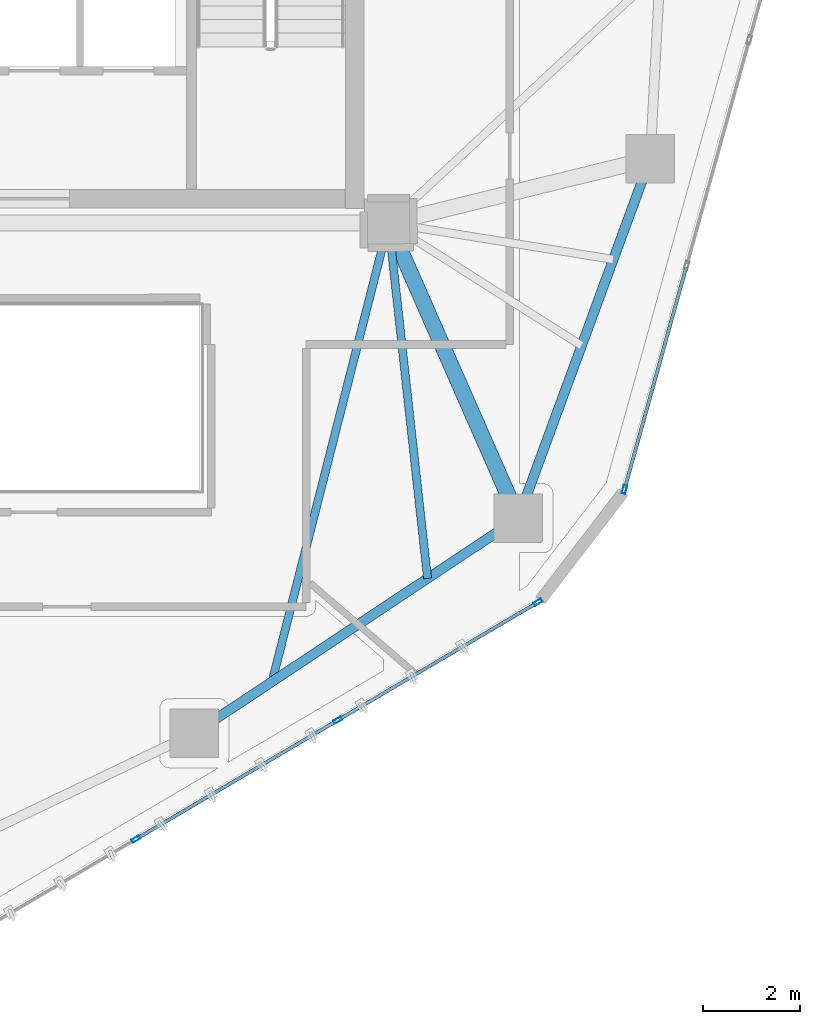
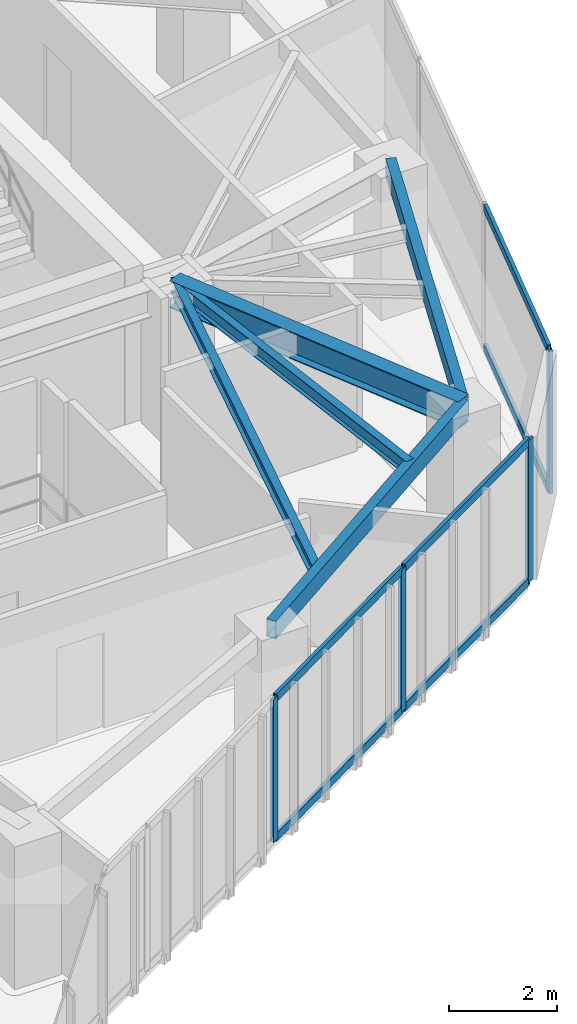
# One storey, part 5 of 19: 10 members, 5 beams, 2 elements without a shape of their own.
"""IFC4 building model written with IfcOpenShell, lengths in metres."""

from ifc_helpers import new_model, si_unit, direction, frame, origin, origin_2d, place, context, subcontext, project, spatial, hollow_rectangle, i_section, extrude, source, transform, mapped, material, layer, layer_set, material_profile, profile_set, type_object, type_shapes, element, aggregate, save


model = new_model("IFC4")

# Units and contexts
model_context = context("Model", 3, precision=1e-05, world=origin(), true_north=direction((0.0, 1.0)))
body_context = subcontext(model_context, "Body", "Model", "MODEL_VIEW")
ifc_project = project(units=[si_unit("LENGTHUNIT", "METRE"), si_unit("AREAUNIT", "SQUARE_METRE"), si_unit("VOLUMEUNIT", "CUBIC_METRE"), si_unit("PLANEANGLEUNIT", "RADIAN"), si_unit("MASSUNIT", "GRAM", prefix="KILO")], contexts=[model_context])

# Site, building, storey
site_placement = place(None, origin())
site = spatial("IfcSite", under=ifc_project, at=site_placement, CompositionType="ELEMENT")
building_placement = place(site_placement, origin())
building = spatial("IfcBuilding", under=site, at=building_placement, Name="Talar Marvaseh", CompositionType="ELEMENT")
storey_placement = place(building_placement, frame((0.0, 0.0, 181.0)))
storey = spatial("IfcBuildingStorey", under=building, at=storey_placement, Name="L47", CompositionType="ELEMENT", Elevation=181.0)

# Beams
ifc_material_1 = material(Name="Steel S355", Category="steel")
ifc_material_profile_1 = material_profile(ifc_material_1, hollow_rectangle(XDim=0.199951171875, YDim=0.39990234375, WallThickness=0.013916015625, at=origin_2d()), Name="RHS400x200x14")
ifc_profile_set_1 = profile_set([ifc_material_profile_1], Name="Steel S355")
beam_type_1 = type_object("IfcBeamType", Name="Zone 3 Perimeter Spandrel Beam RHS400x200x14", PredefinedType="SPANDREL", material=ifc_profile_set_1)
beam_1_placement = place(storey_placement, frame((38.68896484375, 26.823974609375, 3.030029296875), z_axis=(-0.344742291376, -0.938697370049, 0.0), x_axis=(0.938697370049, -0.344742291376, 0.0)))
element("IfcBeam", 1, at=beam_1_placement, inside=storey, type_object=beam_type_1, Name="L47 Zone 3 Perimeter Spandrel Beam RHS400x200x14", PredefinedType="SPANDREL", context=body_context, shape_type="SweptSolid", body=[
    extrude(hollow_rectangle(XDim=0.199951171875, YDim=0.39990234375, WallThickness=0.013916015625, at=origin_2d()), origin(), (0.0, 0.0, 1.0), 7.88427734375),
])
beam_2_placement = place(storey_placement, frame((35.970947265625, 19.423095703125, 3.030029296875), z_axis=(-0.833127464163, -0.553081032452, 0.0), x_axis=(0.553081032452, -0.833127464163, 0.0)))
element("IfcBeam", 2, at=beam_2_placement, inside=storey, type_object=beam_type_1, Name="L47 Zone 3 Perimeter Spandrel Beam RHS400x200x14", PredefinedType="SPANDREL", context=body_context, shape_type="SweptSolid", body=[
    extrude(hollow_rectangle(XDim=0.199951171875, YDim=0.39990234375, WallThickness=0.013916015625, at=origin_2d()), origin(), (0.0, 0.0, 1.0), 8.00830078125),
])
ifc_material_profile_2 = material_profile(ifc_material_1, i_section(OverallWidth=0.324951171875, OverallDepth=0.615966796875, WebThickness=0.013916015625, FlangeThickness=0.021484375, at=origin_2d()), Name="W610x174")
ifc_profile_set_2 = profile_set([ifc_material_profile_2], Name="Steel S355")
beam_type_2 = type_object("IfcBeamType", Name="Zone 3 Radial Floor Girder W610x174", PredefinedType="BEAM", material=ifc_profile_set_2)
beam_3_placement = place(storey_placement, frame((35.970947265625, 19.423095703125, 2.922119140625), z_axis=(-0.402367581672, 0.91547819702, 0.0), x_axis=(-0.91547819702, -0.402367581672, 0.0)))
element("IfcBeam", 3, at=beam_3_placement, inside=storey, type_object=beam_type_2, Name="L47 Zone 3 Radial Floor Girder W610x174", PredefinedType="BEAM", context=body_context, shape_type="SweptSolid", body=[
    extrude(i_section(OverallWidth=0.324951171875, OverallDepth=0.615966796875, WebThickness=0.013916015625, FlangeThickness=0.021484375, at=origin_2d()), origin(), (0.0, 0.0, 1.0), 6.637939453125),
])
ifc_material_profile_3 = material_profile(ifc_material_1, i_section(OverallWidth=0.166015625, OverallDepth=0.31298828125, WebThickness=0.006591796875, FlangeThickness=0.01123046875, at=origin_2d()), Name="W310x45")
ifc_profile_set_3 = profile_set([ifc_material_profile_3], Name="Steel S355")
beam_type_3 = type_object("IfcBeamType", Name="Zone 3 Secondary Floor Joist W310x45", PredefinedType="JOIST", material=ifc_profile_set_3)
beam_4_placement = place(storey_placement, frame((34.102783203125, 18.182861328125, 3.073486328125), z_axis=(-0.109051770147, 0.994036071492, 0.0), x_axis=(-0.994036071492, -0.109051770147, 0.0)))
element("IfcBeam", 4, at=beam_4_placement, inside=storey, type_object=beam_type_3, Name="L47 Zone 3 Secondary Floor Joist W310x45", PredefinedType="JOIST", context=body_context, shape_type="SweptSolid", body=[
    extrude(i_section(OverallWidth=0.166015625, OverallDepth=0.31298828125, WebThickness=0.006591796875, FlangeThickness=0.01123046875, at=origin_2d()), origin(), (0.0, 0.0, 1.0), 7.361083984375),
])
beam_5_placement = place(storey_placement, frame((30.900390625, 16.056884765625, 3.073486328125), z_axis=(0.246289474123, 0.96919631393, 0.0), x_axis=(-0.96919631393, 0.246289474123, 0.0)))
element("IfcBeam", 5, at=beam_5_placement, inside=storey, type_object=beam_type_3, Name="L47 Zone 3 Secondary Floor Joist W310x45", PredefinedType="JOIST", context=body_context, shape_type="SweptSolid", body=[
    extrude(i_section(OverallWidth=0.166015625, OverallDepth=0.31298828125, WebThickness=0.006591796875, FlangeThickness=0.01123046875, at=origin_2d()), origin(), (0.0, 0.0, 1.0), 9.7431640625),
])

# Curtain wall, member
ifc_material_2 = material(Name="Architectural Aluminium", Category="aluminium")
ifc_layer = layer(ifc_material_2, 0.18994140625)
ifc_layer_set = layer_set([ifc_layer], Name="Architectural Aluminium")
curtain_wall_type = type_object("IfcCurtainWallType", Name="Unitised Solar Atelier Curtain Wall Z3", PredefinedType="NOTDEFINED", material=ifc_layer_set)
curtain_wall_1_placement = place(storey_placement, origin())
curtain_wall_1 = element("IfcCurtainWall", 6, at=curtain_wall_1_placement, inside=storey, type_object=curtain_wall_type, Name="L47 Unitised Solar Atelier Curtain Wall Z3", PredefinedType="NOTDEFINED")
ifc_material_profile_4 = material_profile(ifc_material_2, hollow_rectangle(XDim=0.074951171875, YDim=0.179931640625, WallThickness=0.0048828125, at=origin_2d()), Name="RHS180x75x5")
ifc_profile_set_4 = profile_set([ifc_material_profile_4], Name="Architectural Aluminium")
member_type_1 = type_object("IfcMemberType", Name="Unitised Curtain Wall Standard Mullion RHS180x75x5", PredefinedType="MULLION", material=ifc_profile_set_4)
shared_shape_1 = source(origin(), body_context, "Body", "SweptSolid", [
    extrude(hollow_rectangle(XDim=0.074951171875, YDim=0.179931640625, WallThickness=0.0048828125, at=origin_2d()), origin(), (0.0, 0.0, 1.0), 3.22998046875),
])
type_shapes(member_type_1, [shared_shape_1])
member_1_placement = place(storey_placement, frame((38.158935546875, 20.0166015625, 0.0), z_axis=(0.0, 0.0, 1.0), x_axis=(0.963589403746, -0.267386351536, 0.0)))
member_1 = element("IfcMember", 7, at=member_1_placement, type_object=member_type_1, Name="CW-Z3 mullion 5", PredefinedType="MULLION", context=body_context, shape_type="MappedRepresentation", body=[
    mapped(shared_shape_1, transform((0.0, 0.0, 0.0), x_axis=(1.0, 0.0, 0.0), y_axis=(0.0, 1.0, 0.0), z_axis=(0.0, 0.0, 1.0), scale=1.0)),
])

# Curtain wall, members
curtain_wall_2_placement = place(storey_placement, origin())
curtain_wall_2 = element("IfcCurtainWall", 8, at=curtain_wall_2_placement, inside=storey, type_object=curtain_wall_type, Name="L47 Unitised Solar Atelier Curtain Wall Z3", PredefinedType="NOTDEFINED")
member_2_placement = place(storey_placement, frame((36.37548828125, 17.6923828125, 0.0), z_axis=(0.0, 0.0, 1.0), x_axis=(0.507674097312, -0.861549192396, 0.0)))
member_2 = element("IfcMember", 9, at=member_2_placement, type_object=member_type_1, Name="CW-Z3 mullion 1", PredefinedType="MULLION", context=body_context, shape_type="MappedRepresentation", body=[
    mapped(shared_shape_1, transform((0.0, 0.0, 0.0), x_axis=(1.0, 0.0, 0.0), y_axis=(0.0, 1.0, 0.0), z_axis=(0.0, 0.0, 1.0), scale=1.0)),
])
member_3_placement = place(storey_placement, frame((32.25341796875, 15.26318359375, 0.0), z_axis=(0.0, 0.0, 1.0), x_axis=(0.507674097312, -0.861549192396, 0.0)))
member_3 = element("IfcMember", 10, at=member_3_placement, type_object=member_type_1, Name="CW-Z3 mullion 2", PredefinedType="MULLION", context=body_context, shape_type="MappedRepresentation", body=[
    mapped(shared_shape_1, transform((0.0, 0.0, 0.0), x_axis=(1.0, 0.0, 0.0), y_axis=(0.0, 1.0, 0.0), z_axis=(0.0, 0.0, 1.0), scale=1.0)),
])
member_4_placement = place(storey_placement, frame((28.098876953125, 12.815185546875, 0.0), z_axis=(0.0, 0.0, 1.0), x_axis=(0.507674097312, -0.861549192396, 0.0)))
member_4 = element("IfcMember", 11, at=member_4_placement, type_object=member_type_1, Name="CW-Z3 mullion 3", PredefinedType="MULLION", context=body_context, shape_type="MappedRepresentation", body=[
    mapped(shared_shape_1, transform((0.0, 0.0, 0.0), x_axis=(1.0, 0.0, 0.0), y_axis=(0.0, 1.0, 0.0), z_axis=(0.0, 0.0, 1.0), scale=1.0)),
])

# Member
ifc_material_profile_5 = material_profile(ifc_material_2, hollow_rectangle(XDim=0.074951171875, YDim=0.179931640625, WallThickness=0.0048828125, at=origin_2d()), Name="RHS180x75x5")
ifc_profile_set_5 = profile_set([ifc_material_profile_5], Name="Architectural Aluminium")
member_type_2 = type_object("IfcMemberType", Name="Unitised Curtain Wall Transom RHS180x75x5", PredefinedType="USERDEFINED", material=ifc_profile_set_5)
shared_shape_2 = source(origin(), body_context, "Body", "SweptSolid", [
    extrude(hollow_rectangle(XDim=0.074951171875, YDim=0.179931640625, WallThickness=0.0048828125, at=origin_2d()), origin(), (0.0, 0.0, 1.0), 4.70947265625),
])
member_5_placement = place(storey_placement, frame((39.42822265625, 24.5908203125, 0.03759765625), z_axis=(-0.267387182843, -0.963589173067, 0.0), x_axis=(0.963589173067, -0.267387182843, 0.0)))
member_5 = element("IfcMember", 12, at=member_5_placement, type_object=member_type_2, Name="CW-Z3 transom 4.1", ObjectType="TRANSOM", PredefinedType="USERDEFINED", context=body_context, shape_type="MappedRepresentation", body=[
    mapped(shared_shape_2, transform((0.0, 0.0, 0.0), x_axis=(1.0, 0.0, 0.0), y_axis=(0.0, 1.0, 0.0), z_axis=(0.0, 0.0, 1.0), scale=1.0)),
])

member_6_placement = place(storey_placement, frame((39.42822265625, 24.5908203125, 3.1923828125), z_axis=(-0.267387182843, -0.963589173067, 0.0), x_axis=(0.963589173067, -0.267387182843, 0.0)))
member_6 = element("IfcMember", 13, at=member_6_placement, type_object=member_type_2, Name="CW-Z3 transom 4.2", ObjectType="TRANSOM", PredefinedType="USERDEFINED", context=body_context, shape_type="MappedRepresentation", body=[
    mapped(shared_shape_2, transform((0.0, 0.0, 0.0), x_axis=(1.0, 0.0, 0.0), y_axis=(0.0, 1.0, 0.0), z_axis=(0.0, 0.0, 1.0), scale=1.0)),
])

aggregate(curtain_wall_1, [member_1, member_5, member_6])

shared_shape_3 = source(origin(), body_context, "Body", "SweptSolid", [
    extrude(hollow_rectangle(XDim=0.074951171875, YDim=0.179931640625, WallThickness=0.0048828125, at=origin_2d()), origin(), (0.0, 0.0, 1.0), 4.709716796875),
])
member_7_placement = place(storey_placement, frame((36.34326171875, 17.67333984375, 0.03759765625), z_axis=(-0.861536842, -0.50769505599, 0.0), x_axis=(0.50769505599, -0.861536842, 0.0)))
member_7 = element("IfcMember", 14, at=member_7_placement, type_object=member_type_2, Name="CW-Z3 transom 1.1", ObjectType="TRANSOM", PredefinedType="USERDEFINED", context=body_context, shape_type="MappedRepresentation", body=[
    mapped(shared_shape_3, transform((0.0, 0.0, 0.0), x_axis=(1.0, 0.0, 0.0), y_axis=(0.0, 1.0, 0.0), z_axis=(0.0, 0.0, 1.0), scale=1.0)),
])

member_8_placement = place(storey_placement, frame((36.34326171875, 17.67333984375, 3.1923828125), z_axis=(-0.861536842, -0.50769505599, 0.0), x_axis=(0.50769505599, -0.861536842, 0.0)))
member_8 = element("IfcMember", 15, at=member_8_placement, type_object=member_type_2, Name="CW-Z3 transom 1.2", ObjectType="TRANSOM", PredefinedType="USERDEFINED", context=body_context, shape_type="MappedRepresentation", body=[
    mapped(shared_shape_3, transform((0.0, 0.0, 0.0), x_axis=(1.0, 0.0, 0.0), y_axis=(0.0, 1.0, 0.0), z_axis=(0.0, 0.0, 1.0), scale=1.0)),
])

shared_shape_4 = source(origin(), body_context, "Body", "SweptSolid", [
    extrude(hollow_rectangle(XDim=0.074951171875, YDim=0.179931640625, WallThickness=0.0048828125, at=origin_2d()), origin(), (0.0, 0.0, 1.0), 4.746826171875),
])
type_shapes(member_type_2, [shared_shape_2, shared_shape_3, shared_shape_4])
member_9_placement = place(storey_placement, frame((32.220947265625, 15.244140625, 0.03759765625), z_axis=(-0.86154127356, -0.507687535748, 0.0), x_axis=(0.507687535748, -0.86154127356, 0.0)))
member_9 = element("IfcMember", 16, at=member_9_placement, type_object=member_type_2, Name="CW-Z3 transom 2.1", ObjectType="TRANSOM", PredefinedType="USERDEFINED", context=body_context, shape_type="MappedRepresentation", body=[
    mapped(shared_shape_4, transform((0.0, 0.0, 0.0), x_axis=(1.0, 0.0, 0.0), y_axis=(0.0, 1.0, 0.0), z_axis=(0.0, 0.0, 1.0), scale=1.0)),
])

member_10_placement = place(storey_placement, frame((32.220947265625, 15.244140625, 3.1923828125), z_axis=(-0.86154127356, -0.507687535748, 0.0), x_axis=(0.507687535748, -0.86154127356, 0.0)))
member_10 = element("IfcMember", 17, at=member_10_placement, type_object=member_type_2, Name="CW-Z3 transom 2.2", ObjectType="TRANSOM", PredefinedType="USERDEFINED", context=body_context, shape_type="MappedRepresentation", body=[
    mapped(shared_shape_4, transform((0.0, 0.0, 0.0), x_axis=(1.0, 0.0, 0.0), y_axis=(0.0, 1.0, 0.0), z_axis=(0.0, 0.0, 1.0), scale=1.0)),
])

aggregate(curtain_wall_2, [member_2, member_3, member_4, member_7, member_8, member_9, member_10])

save(model, "model.ifc")
